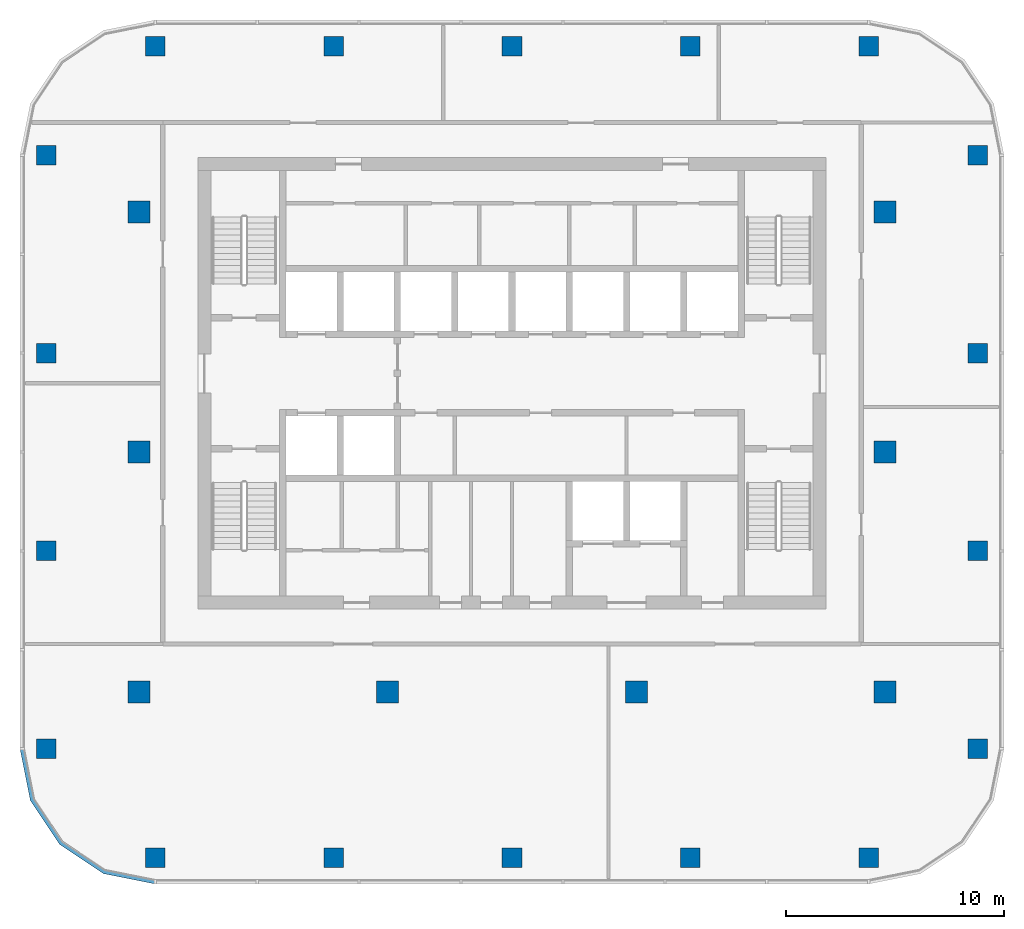
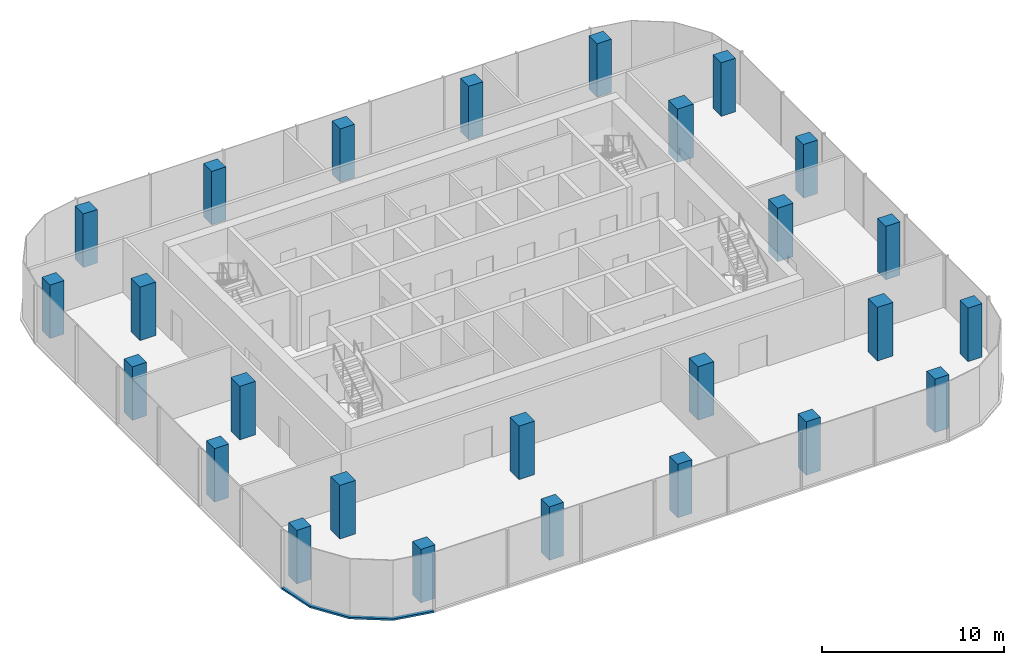
# One storey, part 1 of 9: 26 columns, 1 member, 1 element without a shape of its own.
"""IFC4 building model written with IfcOpenShell, lengths in metres."""

from ifc_helpers import new_model, si_unit, direction, frame, origin, origin_2d, place, context, subcontext, project, spatial, polyline, rectangle, outline, extrude, material, material_profile, profile_set, type_object, element, aggregate, save


model = new_model("IFC4")

# Units and contexts
model_context = context("Model", 3, precision=1e-05, world=origin(), true_north=direction((0.0, 1.0)))
body_context = subcontext(model_context, "Body", "Model", "MODEL_VIEW")
ifc_project = project(units=[si_unit("LENGTHUNIT", "METRE"), si_unit("AREAUNIT", "SQUARE_METRE"), si_unit("VOLUMEUNIT", "CUBIC_METRE"), si_unit("PLANEANGLEUNIT", "RADIAN"), si_unit("MASSUNIT", "GRAM", prefix="KILO")], contexts=[model_context])

# Site, building, storey
site_placement = place(None, origin())
site = spatial("IfcSite", under=ifc_project, at=site_placement, CompositionType="ELEMENT")
building_placement = place(site_placement, origin())
building = spatial("IfcBuilding", under=site, at=building_placement, Name="Mopane Tessera Tower", CompositionType="ELEMENT")
storey_placement = place(building_placement, frame((0.0, 0.0, 353.39990234375)))
storey = spatial("IfcBuildingStorey", under=building, at=storey_placement, Name="L77", CompositionType="ELEMENT", Elevation=353.39990234375)

# Columns
ifc_material_1 = material(Name="Concrete C40/50", Category="concrete")
ifc_material_profile_1 = material_profile(ifc_material_1, rectangle(XDim=1.0, YDim=1.0, at=origin_2d()))
ifc_profile_set_1 = profile_set([ifc_material_profile_1], Name="Concrete C40/50")
column_type_1 = type_object("IfcColumnType", Name="Interior column 1000 x 1000 C40/50", PredefinedType="COLUMN", material=ifc_profile_set_1)
for number, where, z_axis, x_axis, name in (
    (1, (-17.10009765625, -11.0, 0.0), (0.0, 0.0, 1.0), (1.0, 0.0, 0.0), "Interior column I1A L77"),
    (2, (-17.10009765625, 0.0, 0.0), (0.0, 0.0, 1.0), (1.0, 0.0, 0.0), "Interior column I1B L77"),
    (3, (-17.10009765625, 11.0, 0.0), (0.0, 0.0, 1.0), (1.0, 0.0, 0.0), "Interior column I1C L77"),
    (4, (-5.699951171875, -11.0, 0.0), (0.0, 0.0, 1.0), (1.0, 0.0, 0.0), "Interior column I2A L77"),
    (5, (5.699951171875, -11.0, 0.0), (0.0, 0.0, 1.0), (1.0, 0.0, 0.0), "Interior column I3A L77"),
    (6, (17.10009765625, -11.0, 0.0), (0.0, 0.0, 1.0), (1.0, 0.0, 0.0), "Interior column I4A L77"),
    (7, (17.10009765625, 0.0, 0.0), (0.0, 0.0, 1.0), (1.0, 0.0, 0.0), "Interior column I4B L77"),
    (8, (17.10009765625, 11.0, 0.0), (0.0, 0.0, 1.0), (1.0, 0.0, 0.0), "Interior column I4C L77"),
):
    element("IfcColumn", number, at=place(storey_placement, frame(where, z_axis=z_axis, x_axis=x_axis)), inside=storey, type_object=column_type_1, Name=name, PredefinedType="COLUMN", context=body_context, shape_type="SweptSolid", body=[
        extrude(rectangle(XDim=1.0, YDim=1.0, at=origin_2d()), origin(), (0.0, 0.0, 1.0), 3.60009765625),
    ])
ifc_material_2 = material(Name="Concrete C40/50", Category="concrete")
ifc_material_profile_2 = material_profile(ifc_material_2, rectangle(XDim=0.89990234375, YDim=0.89990234375, at=origin_2d()))
ifc_profile_set_2 = profile_set([ifc_material_profile_2], Name="Concrete C40/50")
column_type_2 = type_object("IfcColumnType", Name="Ring column 900 x 900 C40/50", PredefinedType="COLUMN", material=ifc_profile_set_2)
for number, where, z_axis, x_axis, name in (
    (9, (-16.35009765625, -18.60009765625, 0.0), (0.0, 0.0, 1.0), (1.0, 0.0, 0.0), "Ring column S0 L77"),
    (10, (-8.175048828125, -18.60009765625, 0.0), (0.0, 0.0, 1.0), (1.0, 0.0, 0.0), "Ring column S1 L77"),
    (11, (0.0, -18.60009765625, 0.0), (0.0, 0.0, 1.0), (1.0, 0.0, 0.0), "Ring column S2 L77"),
    (12, (8.175048828125, -18.60009765625, 0.0), (0.0, 0.0, 1.0), (1.0, 0.0, 0.0), "Ring column S3 L77"),
    (13, (16.35009765625, -18.60009765625, 0.0), (0.0, 0.0, 1.0), (1.0, 0.0, 0.0), "Ring column S4 L77"),
    (14, (21.35009765625, -13.60009765625, 0.0), (0.0, 0.0, 1.0), (1.0, 0.0, 0.0), "Ring column E0 L77"),
    (15, (21.35009765625, -4.533447265625, 0.0), (0.0, 0.0, 1.0), (1.0, 0.0, 0.0), "Ring column E1 L77"),
    (16, (21.35009765625, 4.533447265625, 0.0), (0.0, 0.0, 1.0), (1.0, 0.0, 0.0), "Ring column E2 L77"),
    (17, (21.35009765625, 13.60009765625, 0.0), (0.0, 0.0, 1.0), (1.0, 0.0, 0.0), "Ring column E3 L77"),
    (18, (16.35009765625, 18.60009765625, 0.0), (0.0, 0.0, 1.0), (1.0, 0.0, 0.0), "Ring column N0 L77"),
    (19, (8.175048828125, 18.60009765625, 0.0), (0.0, 0.0, 1.0), (1.0, 0.0, 0.0), "Ring column N1 L77"),
    (20, (0.0, 18.60009765625, 0.0), (0.0, 0.0, 1.0), (1.0, 0.0, 0.0), "Ring column N2 L77"),
    (21, (-8.175048828125, 18.60009765625, 0.0), (0.0, 0.0, 1.0), (1.0, 0.0, 0.0), "Ring column N3 L77"),
    (22, (-16.35009765625, 18.60009765625, 0.0), (0.0, 0.0, 1.0), (1.0, 0.0, 0.0), "Ring column N4 L77"),
    (23, (-21.35009765625, 13.60009765625, 0.0), (0.0, 0.0, 1.0), (1.0, 0.0, 0.0), "Ring column W0 L77"),
    (24, (-21.35009765625, 4.533447265625, 0.0), (0.0, 0.0, 1.0), (1.0, 0.0, 0.0), "Ring column W1 L77"),
    (25, (-21.35009765625, -4.533447265625, 0.0), (0.0, 0.0, 1.0), (1.0, 0.0, 0.0), "Ring column W2 L77"),
    (26, (-21.35009765625, -13.60009765625, 0.0), (0.0, 0.0, 1.0), (1.0, 0.0, 0.0), "Ring column W3 L77"),
):
    element("IfcColumn", number, at=place(storey_placement, frame(where, z_axis=z_axis, x_axis=x_axis)), inside=storey, type_object=column_type_2, Name=name, PredefinedType="COLUMN", context=body_context, shape_type="SweptSolid", body=[
        extrude(rectangle(XDim=0.89990234375, YDim=0.89990234375, at=origin_2d()), origin(), (0.0, 0.0, 1.0), 3.60009765625),
    ])

# Curtain wall, member
ifc_material_3 = material(Name="Aluminium frame", Category="aluminium")
curtain_wall_type = type_object("IfcCurtainWallType", Name="Unitised curtain wall", PredefinedType="NOTDEFINED", material=ifc_material_3)
curtain_wall_placement = place(storey_placement, origin())
curtain_wall = element("IfcCurtainWall", 27, at=curtain_wall_placement, inside=storey, type_object=curtain_wall_type, Name="e:cw:L77:CW", PredefinedType="NOTDEFINED")
ifc_material_4 = material(Name="Aluminium frame", Category="aluminium")
ifc_material_profile_3 = material_profile(ifc_material_4, rectangle(XDim=0.199951171875, YDim=0.1201171875, at=origin_2d()))
ifc_profile_set_3 = profile_set([ifc_material_profile_3], Name="Aluminium frame")
member_type = type_object("IfcMemberType", Name="Aluminium transom 200 x 120", PredefinedType="USERDEFINED", material=ifc_profile_set_3)
member_placement = place(storey_placement, frame((0.0, 0.0, -0.349853515625)))
member = element("IfcMember", 28, at=member_placement, type_object=member_type, Name="e:cw:L77:CW:tr", ObjectType="TRANSOM", PredefinedType="USERDEFINED", context=body_context, shape_type="SweptSolid", body=[
    extrude(outline(polyline([(-22.35009765625, -13.60009765625), (-21.893310546875, -15.89599609375), (-20.592529296875, -17.842529296875), (-18.64599609375, -19.143310546875), (-16.35009765625, -19.60009765625), (-16.35009765625, -19.800048828125), (-18.72265625, -19.328125), (-20.734130859375, -17.984130859375), (-22.078125, -15.97265625), (-22.550048828125, -13.60009765625), (-22.35009765625, -13.60009765625)])), origin(), (0.0, 0.0, 1.0), 0.119873046875),
])
aggregate(curtain_wall, [member])

save(model, "model.ifc")
